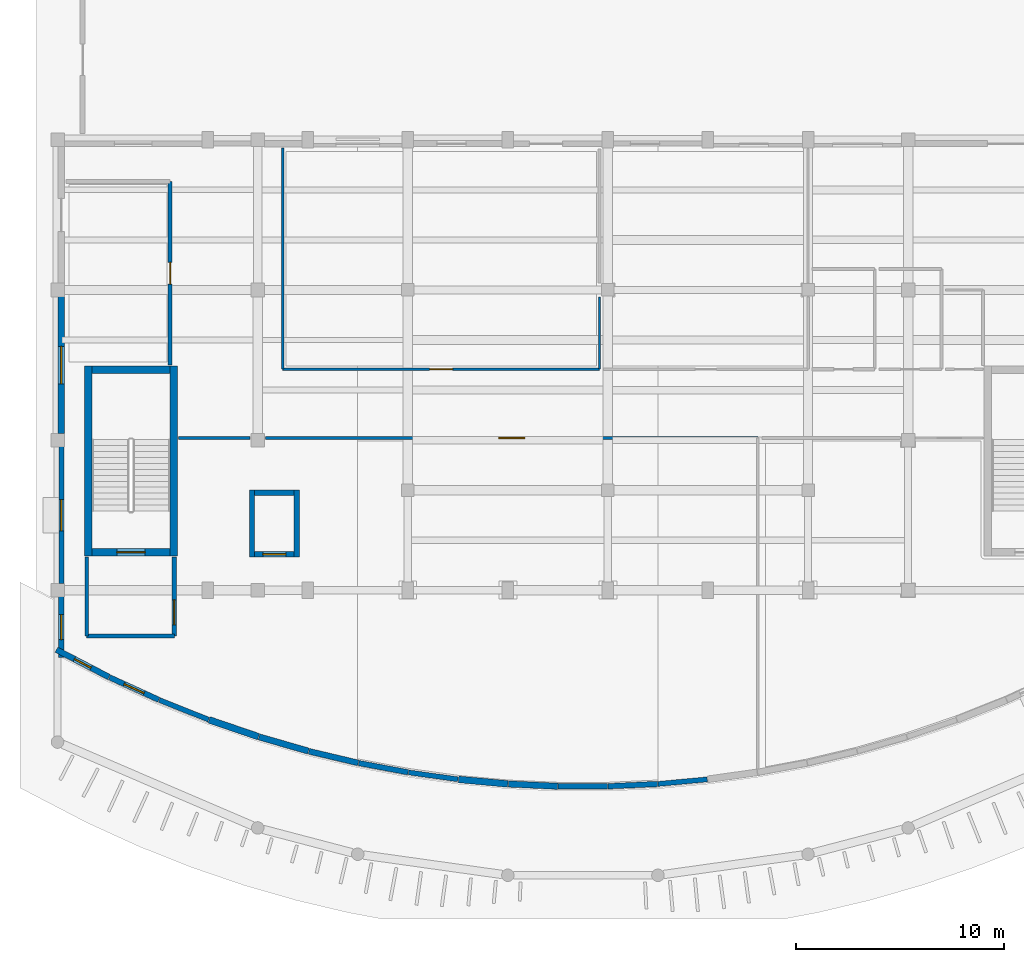
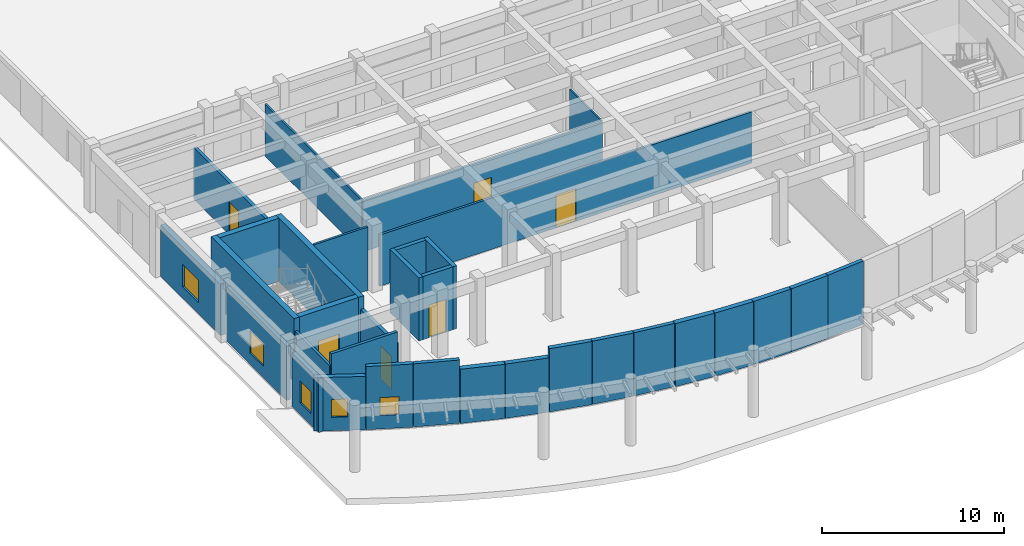
# One storey, part 28 of 58: 33 walls, 6 doors, 5 windows, 11 openings.
"""IFC4 building model written with IfcOpenShell, lengths in metres."""

from ifc_helpers import new_model, si_unit, direction, frame, frame_2d, origin, place, context, subcontext, project, spatial, rectangle, extrude, material, layer, layer_set, type_object, element, fill, save


model = new_model("IFC4")

# Units and contexts
model_context = context("Model", 3, precision=1e-05, world=origin(), true_north=direction((0.0, 1.0)))
body_context = subcontext(model_context, "Body", "Model", "MODEL_VIEW")
ifc_project = project(units=[si_unit("LENGTHUNIT", "METRE"), si_unit("AREAUNIT", "SQUARE_METRE"), si_unit("VOLUMEUNIT", "CUBIC_METRE"), si_unit("PLANEANGLEUNIT", "RADIAN"), si_unit("MASSUNIT", "GRAM", prefix="KILO")], contexts=[model_context])

# Site, building, storey
site_placement = place(None, origin())
site = spatial("IfcSite", under=ifc_project, at=site_placement, CompositionType="ELEMENT")
building_placement = place(site_placement, origin())
building = spatial("IfcBuilding", under=site, at=building_placement, Name="Brisavento Harbour Community Centre", CompositionType="ELEMENT")
storey_placement = place(building_placement, origin())
storey = spatial("IfcBuildingStorey", under=building, at=storey_placement, Name="L00", CompositionType="ELEMENT", Elevation=0.0)

# Walls
ifc_material_1 = material(Name="Concrete C40/50", Category="concrete")
ifc_layer_1 = layer(ifc_material_1, 0.35009765625, Name="Concrete C40/50")
ifc_layer_set_1 = layer_set([ifc_layer_1], Name="Concrete C40/50")
wall_type_1 = type_object("IfcWallType", Name="WL-CORE-350", PredefinedType="SHEAR", material=ifc_layer_set_1)
for number, where, z_axis, x_axis, name in (
    (1, (5.574951171875, 16.050048828125, 0.0), (0.0, 0.0, 1.0), (0.0, 1.0, 0.0), "L00 core C1 shear wall L"),
    (2, (1.47509765625, 25.14990234375, 0.0), (0.0, 0.0, 1.0), (0.0, -1.0, 0.0), "L00 core C1 shear wall R"),
):
    element("IfcWall", number, at=place(storey_placement, frame(where, z_axis=z_axis, x_axis=x_axis)), inside=storey, type_object=wall_type_1, Name=name, PredefinedType="SHEAR", context=body_context, shape_type="SweptSolid", body=[
        extrude(rectangle(XDim=9.099853515625, YDim=0.35009765625, at=frame_2d((4.5498046875, 0.0))), origin(), (0.0, 0.0, 1.0), 4.239990234375),
    ])
wall_1_placement = place(storey_placement, frame((5.39990234375, 24.97509765625, 0.0), z_axis=(0.0, 0.0, 1.0), x_axis=(-1.0, 0.0, 0.0)))
element("IfcWall", 3, at=wall_1_placement, inside=storey, type_object=wall_type_1, Name="L00 core C1 shear wall F", PredefinedType="SHEAR", context=body_context, shape_type="SweptSolid", body=[
    extrude(rectangle(XDim=3.75, YDim=0.35009765625, at=frame_2d((1.875, 0.0))), origin(), (0.0, 0.0, 1.0), 4.239990234375),
])

# Wall, opening, door
wall_2_placement = place(storey_placement, frame((5.39990234375, 16.22509765625, 0.0), z_axis=(0.0, 0.0, 1.0), x_axis=(-1.0, 0.0, 0.0)))
wall_2 = element("IfcWall", 4, at=wall_2_placement, inside=storey, type_object=wall_type_1, Name="L00 core C1 shear wall N", PredefinedType="SHEAR", context=body_context, shape_type="SweptSolid", body=[
    extrude(rectangle(XDim=3.75, YDim=0.35009765625, at=frame_2d((1.875, 0.0))), origin(), (0.0, 0.0, 1.0), 4.239990234375),
])
opening_1_placement = place(wall_2_placement, frame((1.199951171875, 0.0, 0.0)))
opening_1 = element("IfcOpeningElement", 5, at=opening_1_placement, cuts=wall_2, Name="Opening SD-02", PredefinedType="OPENING", context=body_context, shape_type="SweptSolid", body=[
    extrude(rectangle(XDim=1.35009765625, YDim=2.199951171875, at=frame_2d((0.675048828125, 1.10009765625))), frame((0.0, 0.18505859375, 0.0), z_axis=(0.0, -1.0, 0.0), x_axis=(1.0, 0.0, 0.0)), (0.0, 0.0, 1.0), 0.3701171875),
])
ifc_material_2 = material(Name="Fire-rated steel door assembly", Category="steel")
door_type_1 = type_object("IfcDoorType", Name="DR-STAIR-135x220", OperationType="NOTDEFINED", PredefinedType="DOOR", material=ifc_material_2)
door_1_placement = place(opening_1_placement, origin())
door_1 = element("IfcDoor", 6, at=door_1_placement, inside=storey, type_object=door_type_1, Name="L00 exit stair ST-01 fire door", OperationType="SINGLE_SWING_LEFT", OverallHeight=2.199951171875, OverallWidth=1.35009765625, PredefinedType="DOOR", context=body_context, shape_type="SweptSolid", body=[
    extrude(rectangle(XDim=1.35009765625, YDim=2.199951171875, at=frame_2d((0.675048828125, 1.10009765625))), frame((0.0, 0.02490234375, 0.0), z_axis=(0.0, -1.0, 0.0), x_axis=(1.0, 0.0, 0.0)), (0.0, 0.0, 1.0), 0.050048828125),
])
fill(opening_1, door_1)

# Walls
ifc_material_3 = material(Name="Terracotta masonry unit", Category="masonry")
ifc_layer_2 = layer(ifc_material_3, 0.239990234375, Name="Terracotta masonry unit")
ifc_layer_set_2 = layer_set([ifc_layer_2], Name="Terracotta masonry unit")
wall_type_2 = type_object("IfcWallType", Name="WL-EXT-240", PredefinedType="SOLIDWALL", material=ifc_layer_set_2)
wall_3_placement = place(storey_placement, frame((7.249755859375, 8.188720703125, 0.0), z_axis=(0.0, 0.0, 1.0), x_axis=(-0.929274561032, 0.369389753808, 0.0)))
element("IfcWall", 7, at=wall_3_placement, inside=storey, type_object=wall_type_2, Name="L00 V1 exterior wall 0068", PredefinedType="SOLIDWALL", context=body_context, shape_type="SweptSolid", body=[
    extrude(rectangle(XDim=2.546630859375, YDim=0.239990234375, at=frame_2d((1.2734375, 0.0))), origin(), (0.0, 0.0, 1.0), 4.239990234375),
])
wall_4_placement = place(storey_placement, frame((19.20703125, 5.328125, 0.0), z_axis=(0.0, 0.0, 1.0), x_axis=(-0.990366445451, 0.138471310114, 0.0)))
element("IfcWall", 8, at=wall_4_placement, inside=storey, type_object=wall_type_2, Name="L00 V1 exterior wall 0073", PredefinedType="SOLIDWALL", context=body_context, shape_type="SweptSolid", body=[
    extrude(rectangle(XDim=2.38720703125, YDim=0.239990234375, at=frame_2d((1.193603515625, 0.0))), origin(), (0.0, 0.0, 1.0), 4.239990234375),
])
wall_5_placement = place(storey_placement, frame((31.16552734375, 5.32470703125, 0.0), z_axis=(0.0, 0.0, 1.0), x_axis=(-0.995737526905, -0.092232193477, 0.0)))
element("IfcWall", 9, at=wall_5_placement, inside=storey, type_object=wall_type_2, Name="L00 V1 exterior wall 0078", PredefinedType="SOLIDWALL", context=body_context, shape_type="SweptSolid", body=[
    extrude(rectangle(XDim=2.374267578125, YDim=0.239990234375, at=frame_2d((1.18701171875, 0.0))), origin(), (0.0, 0.0, 1.0), 4.239990234375),
])

# Wall, opening, window
wall_6_placement = place(storey_placement, frame((0.179931640625, 14.7099609375, 0.0), z_axis=(0.0, 0.0, 1.0), x_axis=(0.0, 1.0, 0.0)))
wall_6 = element("IfcWall", 10, at=wall_6_placement, inside=storey, type_object=wall_type_2, Name="L00 V1 exterior wall 0098", PredefinedType="SOLIDWALL", context=body_context, shape_type="SweptSolid", body=[
    extrude(rectangle(XDim=6.580078125, YDim=0.239990234375, at=frame_2d((3.2900390625, 0.0))), origin(), (0.0, 0.0, 1.0), 3.639892578125),
])
opening_2_placement = place(wall_6_placement, frame((2.5400390625, 0.0, 0.75)))
opening_2 = element("IfcOpeningElement", 11, at=opening_2_placement, cuts=wall_6, Name="Opening W-15", PredefinedType="OPENING", context=body_context, shape_type="SweptSolid", body=[
    extrude(rectangle(XDim=1.5, YDim=1.5, at=frame_2d((0.75, 0.75))), frame((0.0, 0.1298828125, 0.0), z_axis=(0.0, -1.0, 0.0), x_axis=(1.0, 0.0, 0.0)), (0.0, 0.0, 1.0), 0.260009765625),
])
ifc_material_4 = material(Name="Solar-control laminated low-E glass", Category="glass")
window_type_1 = type_object("IfcWindowType", Name="WIN-CAS-15", PartitioningType="SINGLE_PANEL", PredefinedType="WINDOW", material=ifc_material_4)
window_1_placement = place(opening_2_placement, origin())
window_1 = element("IfcWindow", 12, at=window_1_placement, inside=storey, type_object=window_type_1, Name="L00 V1 impact casement window 0015", OverallHeight=1.5, OverallWidth=1.5, PartitioningType="SINGLE_PANEL", PredefinedType="WINDOW", context=body_context, shape_type="SweptSolid", body=[
    extrude(rectangle(XDim=1.5, YDim=1.5, at=frame_2d((0.75, 0.75))), frame((0.0, 0.030029296875, 0.0), z_axis=(0.0, -1.0, 0.0), x_axis=(1.0, 0.0, 0.0)), (0.0, 0.0, 1.0), 0.06005859375),
])
fill(opening_2, window_1)

ifc_layer_3 = layer(ifc_material_3, 0.260009765625, Name="Terracotta masonry unit")
ifc_layer_set_3 = layer_set([ifc_layer_3], Name="Terracotta masonry unit")
wall_type_3 = type_object("IfcWallType", Name="WL-EXT-260", PredefinedType="SOLIDWALL", material=ifc_layer_set_3)
wall_7_placement = place(storey_placement, frame((4.8583984375, 9.139892578125, 0.0), z_axis=(0.0, 0.0, 1.0), x_axis=(-0.90959706885, 0.415491482873, 0.0)))
wall_7 = element("IfcWall", 13, at=wall_7_placement, inside=storey, type_object=wall_type_3, Name="L00 V1 exterior wall 0067", PredefinedType="SOLIDWALL", context=body_context, shape_type="SweptSolid", body=[
    extrude(rectangle(XDim=2.6025390625, YDim=0.260009765625, at=frame_2d((1.30126953125, 0.0))), origin(), (0.0, 0.0, 1.0), 4.239990234375),
])
opening_3_placement = place(wall_7_placement, frame((0.7763671875, 0.0, 0.89990234375)))
opening_3 = element("IfcOpeningElement", 14, at=opening_3_placement, cuts=wall_7, Name="Opening W-02", PredefinedType="OPENING", context=body_context, shape_type="SweptSolid", body=[
    extrude(rectangle(XDim=1.050048828125, YDim=1.199951171875, at=frame_2d((0.52490234375, 0.60009765625))), frame((0.0, 0.14013671875, 0.0), z_axis=(0.0, -1.0, 0.0), x_axis=(1.0, 0.0, 0.0)), (0.0, 0.0, 1.0), 0.280029296875),
])
window_type_2 = type_object("IfcWindowType", Name="WIN-CAS-02", PartitioningType="SINGLE_PANEL", PredefinedType="WINDOW", material=ifc_material_4)
window_2_placement = place(opening_3_placement, origin())
window_2 = element("IfcWindow", 15, at=window_2_placement, inside=storey, type_object=window_type_2, Name="L00 V1 impact casement window 0002", OverallHeight=1.199951171875, OverallWidth=1.050048828125, PartitioningType="SINGLE_PANEL", PredefinedType="WINDOW", context=body_context, shape_type="SweptSolid", body=[
    extrude(rectangle(XDim=1.050048828125, YDim=1.199951171875, at=frame_2d((0.52490234375, 0.60009765625))), frame((0.0, 0.030029296875, 0.0), z_axis=(0.0, -1.0, 0.0), x_axis=(1.0, 0.0, 0.0)), (0.0, 0.0, 1.0), 0.06005859375),
])
fill(opening_3, window_2)

# Walls
wall_8_placement = place(storey_placement, frame((16.8154296875, 5.6630859375, 0.0), z_axis=(0.0, 0.0, 1.0), x_axis=(-0.982797435053, 0.184686766319, 0.0)))
element("IfcWall", 16, at=wall_8_placement, inside=storey, type_object=wall_type_3, Name="L00 V1 exterior wall 0072", PredefinedType="SOLIDWALL", context=body_context, shape_type="SweptSolid", body=[
    extrude(rectangle(XDim=2.406005859375, YDim=0.260009765625, at=frame_2d((1.203125, 0.0))), origin(), (0.0, 0.0, 1.0), 4.239990234375),
])
wall_9_placement = place(storey_placement, frame((28.773681640625, 5.103759765625, 0.0), z_axis=(0.0, 0.0, 1.0), x_axis=(-0.998931413674, -0.046217212984, 0.0)))
element("IfcWall", 17, at=wall_9_placement, inside=storey, type_object=wall_type_3, Name="L00 V1 exterior wall 0077", PredefinedType="SOLIDWALL", context=body_context, shape_type="SweptSolid", body=[
    extrude(rectangle(XDim=2.366455078125, YDim=0.260009765625, at=frame_2d((1.18310546875, 0.0))), origin(), (0.0, 0.0, 1.0), 4.239990234375),
])

# Wall, opening, window
wall_10_placement = place(storey_placement, frame((0.179931640625, 11.164306640625, 0.0), z_axis=(0.0, 0.0, 1.0), x_axis=(0.0, 1.0, 0.0)))
wall_10 = element("IfcWall", 18, at=wall_10_placement, inside=storey, type_object=wall_type_3, Name="L00 V1 exterior wall 0097", PredefinedType="SOLIDWALL", context=body_context, shape_type="SweptSolid", body=[
    extrude(rectangle(XDim=2.92578125, YDim=0.260009765625, at=frame_2d((1.462890625, 0.0))), origin(), (0.0, 0.0, 1.0), 3.590087890625),
])
opening_4_placement = place(wall_10_placement, frame((0.86279296875, 0.0, 0.75)))
opening_4 = element("IfcOpeningElement", 19, at=opening_4_placement, cuts=wall_10, Name="Opening W-14", PredefinedType="OPENING", context=body_context, shape_type="SweptSolid", body=[
    extrude(rectangle(XDim=1.199951171875, YDim=1.5, at=frame_2d((0.60009765625, 0.75))), frame((0.0, 0.14013671875, 0.0), z_axis=(0.0, -1.0, 0.0), x_axis=(1.0, 0.0, 0.0)), (0.0, 0.0, 1.0), 0.280029296875),
])
window_type_3 = type_object("IfcWindowType", Name="WIN-CAS-14", PartitioningType="SINGLE_PANEL", PredefinedType="WINDOW", material=ifc_material_4)
window_3_placement = place(opening_4_placement, origin())
window_3 = element("IfcWindow", 20, at=window_3_placement, inside=storey, type_object=window_type_3, Name="L00 V1 impact casement window 0014", OverallHeight=1.5, OverallWidth=1.199951171875, PartitioningType="SINGLE_PANEL", PredefinedType="WINDOW", context=body_context, shape_type="SweptSolid", body=[
    extrude(rectangle(XDim=1.199951171875, YDim=1.5, at=frame_2d((0.60009765625, 0.75))), frame((0.0, 0.030029296875, 0.0), z_axis=(0.0, -1.0, 0.0), x_axis=(1.0, 0.0, 0.0)), (0.0, 0.0, 1.0), 0.06005859375),
])
fill(opening_4, window_3)

ifc_material_5 = material(Name="Precast concrete C40/50", Category="concrete")
ifc_layer_4 = layer(ifc_material_5, 0.280029296875, Name="Precast concrete C40/50")
ifc_layer_set_4 = layer_set([ifc_layer_4], Name="Precast concrete C40/50")
wall_type_4 = type_object("IfcWallType", Name="WL-EXT-280", PredefinedType="SOLIDWALL", material=ifc_layer_set_4)
wall_11_placement = place(storey_placement, frame((2.467041015625, 10.23291015625, 0.0), z_axis=(0.0, 0.0, 1.0), x_axis=(-0.88701246436, 0.46174547975, 0.0)))
wall_11 = element("IfcWall", 21, at=wall_11_placement, inside=storey, type_object=wall_type_4, Name="L00 V1 exterior wall 0066", PredefinedType="SOLIDWALL", context=body_context, shape_type="SweptSolid", body=[
    extrude(rectangle(XDim=2.837646484375, YDim=0.280029296875, at=frame_2d((1.4189453125, 0.0))), origin(), (0.0, 0.0, 1.0), 3.590087890625),
])
opening_5_placement = place(wall_11_placement, frame((0.96875, 0.0, 0.89990234375)))
opening_5 = element("IfcOpeningElement", 22, at=opening_5_placement, cuts=wall_11, Name="Opening W-01", PredefinedType="OPENING", context=body_context, shape_type="SweptSolid", body=[
    extrude(rectangle(XDim=0.89990234375, YDim=1.199951171875, at=frame_2d((0.449951171875, 0.60009765625))), frame((0.0, 0.14990234375, 0.0), z_axis=(0.0, -1.0, 0.0), x_axis=(1.0, 0.0, 0.0)), (0.0, 0.0, 1.0), 0.300048828125),
])
window_type_4 = type_object("IfcWindowType", Name="WIN-CAS-01", PartitioningType="SINGLE_PANEL", PredefinedType="WINDOW", material=ifc_material_4)
window_4_placement = place(opening_5_placement, origin())
window_4 = element("IfcWindow", 23, at=window_4_placement, inside=storey, type_object=window_type_4, Name="L00 V1 impact casement window 0001", OverallHeight=1.199951171875, OverallWidth=0.89990234375, PartitioningType="SINGLE_PANEL", PredefinedType="WINDOW", context=body_context, shape_type="SweptSolid", body=[
    extrude(rectangle(XDim=0.89990234375, YDim=1.199951171875, at=frame_2d((0.449951171875, 0.60009765625))), frame((0.0, 0.030029296875, 0.0), z_axis=(0.0, -1.0, 0.0), x_axis=(1.0, 0.0, 0.0)), (0.0, 0.0, 1.0), 0.06005859375),
])
fill(opening_5, window_4)

# Walls
wall_12_placement = place(storey_placement, frame((14.424072265625, 6.11328125, 0.0), z_axis=(0.0, 0.0, 1.0), x_axis=(-0.972996641293, 0.230819271363, 0.0)))
element("IfcWall", 24, at=wall_12_placement, inside=storey, type_object=wall_type_4, Name="L00 V1 exterior wall 0071", PredefinedType="SOLIDWALL", context=body_context, shape_type="SweptSolid", body=[
    extrude(rectangle(XDim=2.4306640625, YDim=0.280029296875, at=frame_2d((1.21533203125, 0.0))), origin(), (0.0, 0.0, 1.0), 4.239990234375),
])
wall_13_placement = place(storey_placement, frame((26.382080078125, 4.993896484375, 0.0), z_axis=(0.0, 0.0, 1.0), x_axis=(-1.0, 0.0, 0.0)))
element("IfcWall", 25, at=wall_13_placement, inside=storey, type_object=wall_type_4, Name="L00 V1 exterior wall 0076", PredefinedType="SOLIDWALL", context=body_context, shape_type="SweptSolid", body=[
    extrude(rectangle(XDim=2.364013671875, YDim=0.280029296875, at=frame_2d((1.18212890625, 0.0))), origin(), (0.0, 0.0, 1.0), 4.239990234375),
])
ifc_material_6 = material(Name="Concrete C35/45", Category="concrete")
ifc_layer_5 = layer(ifc_material_6, 0.300048828125, Name="Concrete C35/45")
ifc_layer_set_5 = layer_set([ifc_layer_5], Name="Concrete C35/45")
wall_type_5 = type_object("IfcWallType", Name="WL-EXT-300", PredefinedType="SOLIDWALL", material=ifc_layer_set_5)
wall_14_placement = place(storey_placement, frame((12.03271484375, 6.681396484375, 0.0), z_axis=(0.0, 0.0, 1.0), x_axis=(-0.960873855282, 0.276986343049, 0.0)))
element("IfcWall", 26, at=wall_14_placement, inside=storey, type_object=wall_type_5, Name="L00 V1 exterior wall 0070", PredefinedType="SOLIDWALL", context=body_context, shape_type="SweptSolid", body=[
    extrude(rectangle(XDim=2.4619140625, YDim=0.300048828125, at=frame_2d((1.23095703125, 0.0))), origin(), (0.0, 0.0, 1.0), 3.639892578125),
])
wall_15_placement = place(storey_placement, frame((23.990234375, 4.994384765625, 0.0), z_axis=(0.0, 0.0, 1.0), x_axis=(-0.998931413674, 0.046217212984, 0.0)))
element("IfcWall", 27, at=wall_15_placement, inside=storey, type_object=wall_type_5, Name="L00 V1 exterior wall 0075", PredefinedType="SOLIDWALL", context=body_context, shape_type="SweptSolid", body=[
    extrude(rectangle(XDim=2.366455078125, YDim=0.300048828125, at=frame_2d((1.18310546875, 0.0))), origin(), (0.0, 0.0, 1.0), 4.239990234375),
])
ifc_layer_6 = layer(ifc_material_6, 0.320068359375, Name="Concrete C35/45")
ifc_layer_set_6 = layer_set([ifc_layer_6], Name="Concrete C35/45")
wall_type_6 = type_object("IfcWallType", Name="WL-EXT-320", PredefinedType="SOLIDWALL", material=ifc_layer_set_6)
wall_16_placement = place(storey_placement, frame((9.64111328125, 7.371337890625, 0.0), z_axis=(0.0, 0.0, 1.0), x_axis=(-0.946353497829, 0.323133187939, 0.0)))
element("IfcWall", 28, at=wall_16_placement, inside=storey, type_object=wall_type_6, Name="L00 V1 exterior wall 0069", PredefinedType="SOLIDWALL", context=body_context, shape_type="SweptSolid", body=[
    extrude(rectangle(XDim=2.5, YDim=0.320068359375, at=frame_2d((1.25, 0.0))), origin(), (0.0, 0.0, 1.0), 3.639892578125),
])
wall_17_placement = place(storey_placement, frame((21.5986328125, 5.105712890625, 0.0), z_axis=(0.0, 0.0, 1.0), x_axis=(-0.995736652078, 0.092241637603, 0.0)))
element("IfcWall", 29, at=wall_17_placement, inside=storey, type_object=wall_type_6, Name="L00 V1 exterior wall 0074", PredefinedType="SOLIDWALL", context=body_context, shape_type="SweptSolid", body=[
    extrude(rectangle(XDim=2.3740234375, YDim=0.320068359375, at=frame_2d((1.18701171875, 0.0))), origin(), (0.0, 0.0, 1.0), 4.239990234375),
])

# Wall, opening, window
wall_18_placement = place(storey_placement, frame((0.179931640625, 21.909912109375, 0.0), z_axis=(0.0, 0.0, 1.0), x_axis=(0.0, 1.0, 0.0)))
wall_18 = element("IfcWall", 30, at=wall_18_placement, inside=storey, type_object=wall_type_6, Name="L00 V1 exterior wall 0099", PredefinedType="SOLIDWALL", context=body_context, shape_type="SweptSolid", body=[
    extrude(rectangle(XDim=6.580078125, YDim=0.320068359375, at=frame_2d((3.2900390625, 0.0))), origin(), (0.0, 0.0, 1.0), 3.43994140625),
])
opening_6_placement = place(wall_18_placement, frame((2.389892578125, 0.0, 0.75)))
opening_6 = element("IfcOpeningElement", 31, at=opening_6_placement, cuts=wall_18, Name="Opening W-16", PredefinedType="OPENING", context=body_context, shape_type="SweptSolid", body=[
    extrude(rectangle(XDim=1.800048828125, YDim=1.5, at=frame_2d((0.89990234375, 0.75))), frame((0.0, 0.169921875, 0.0), z_axis=(0.0, -1.0, 0.0), x_axis=(1.0, 0.0, 0.0)), (0.0, 0.0, 1.0), 0.340087890625),
])
window_type_5 = type_object("IfcWindowType", Name="WIN-CAS-16", PartitioningType="SINGLE_PANEL", PredefinedType="WINDOW", material=ifc_material_4)
window_5_placement = place(opening_6_placement, origin())
window_5 = element("IfcWindow", 32, at=window_5_placement, inside=storey, type_object=window_type_5, Name="L00 V1 impact casement window 0016", OverallHeight=1.5, OverallWidth=1.800048828125, PartitioningType="SINGLE_PANEL", PredefinedType="WINDOW", context=body_context, shape_type="SweptSolid", body=[
    extrude(rectangle(XDim=1.800048828125, YDim=1.5, at=frame_2d((0.89990234375, 0.75))), frame((0.0, 0.030029296875, 0.0), z_axis=(0.0, -1.0, 0.0), x_axis=(1.0, 0.0, 0.0)), (0.0, 0.0, 1.0), 0.06005859375),
])
fill(opening_6, window_5)

# Wall, opening, door
ifc_material_7 = material(Name="Concrete masonry blockwork", Category="masonry")
ifc_layer_7 = layer(ifc_material_7, 0.199951171875, Name="Concrete masonry blockwork")
ifc_layer_set_7 = layer_set([ifc_layer_7], Name="Concrete masonry blockwork")
wall_type_7 = type_object("IfcWallType", Name="WL-FIR-200", PredefinedType="PARTITIONING", material=ifc_layer_set_7)
wall_19_placement = place(storey_placement, frame((5.60009765625, 12.199951171875, 0.0), z_axis=(0.0, 0.0, 1.0), x_axis=(0.0, 1.0, 0.0)))
wall_19 = element("IfcWall", 33, at=wall_19_placement, inside=storey, type_object=wall_type_7, Name="L00 Firefighting Lobby L00 partition 0039", PredefinedType="PARTITIONING", context=body_context, shape_type="SweptSolid", body=[
    extrude(rectangle(XDim=3.7900390625, YDim=0.199951171875, at=frame_2d((1.89501953125, 0.0))), origin(), (0.0, 0.0, 1.0), 3.43994140625),
])
opening_7_placement = place(wall_19_placement, frame((0.537109375, 0.0, 0.0)))
opening_7 = element("IfcOpeningElement", 34, at=opening_7_placement, cuts=wall_19, Name="Opening FD-01", PredefinedType="OPENING", context=body_context, shape_type="SweptSolid", body=[
    extrude(rectangle(XDim=1.199951171875, YDim=2.199951171875, at=frame_2d((0.60009765625, 1.10009765625))), frame((0.0, 0.10986328125, 0.0), z_axis=(0.0, -1.0, 0.0), x_axis=(1.0, 0.0, 0.0)), (0.0, 0.0, 1.0), 0.219970703125),
])
ifc_material_8 = material(Name="Fire-rated hardwood door", Category="wood")
door_type_2 = type_object("IfcDoorType", Name="DR-FIRE-120x220", OperationType="NOTDEFINED", PredefinedType="DOOR", material=ifc_material_8)
door_2_placement = place(opening_7_placement, origin())
door_2 = element("IfcDoor", 35, at=door_2_placement, inside=storey, type_object=door_type_2, Name="L00 Firefighting Lobby L00 door 0015", OperationType="SINGLE_SWING_LEFT", OverallHeight=2.199951171875, OverallWidth=1.199951171875, PredefinedType="DOOR", context=body_context, shape_type="SweptSolid", body=[
    extrude(rectangle(XDim=1.199951171875, YDim=2.199951171875, at=frame_2d((0.60009765625, 1.10009765625))), frame((0.0, 0.02490234375, 0.0), z_axis=(0.0, -1.0, 0.0), x_axis=(1.0, 0.0, 0.0)), (0.0, 0.0, 1.0), 0.050048828125),
])
fill(opening_7, door_2)

wall_20_placement = place(storey_placement, frame((5.39990234375, 25.2099609375, 0.0), z_axis=(0.0, 0.0, 1.0), x_axis=(0.0, 1.0, 0.0)))
wall_20 = element("IfcWall", 36, at=wall_20_placement, inside=storey, type_object=wall_type_7, Name="L00 Fire Command Room partition 0042", PredefinedType="PARTITIONING", context=body_context, shape_type="SweptSolid", body=[
    extrude(rectangle(XDim=8.7900390625, YDim=0.199951171875, at=frame_2d((4.39501953125, 0.0))), origin(), (0.0, 0.0, 1.0), 3.43994140625),
])
opening_8_placement = place(wall_20_placement, frame((3.8701171875, 0.0, 0.0)))
opening_8 = element("IfcOpeningElement", 37, at=opening_8_placement, cuts=wall_20, Name="Opening FD-02", PredefinedType="OPENING", context=body_context, shape_type="SweptSolid", body=[
    extrude(rectangle(XDim=1.050048828125, YDim=2.14990234375, at=frame_2d((0.52490234375, 1.074951171875))), frame((0.0, 0.10986328125, 0.0), z_axis=(0.0, -1.0, 0.0), x_axis=(1.0, 0.0, 0.0)), (0.0, 0.0, 1.0), 0.219970703125),
])
door_type_3 = type_object("IfcDoorType", Name="DR-FIRE-105x215", OperationType="NOTDEFINED", PredefinedType="DOOR", material=ifc_material_8)
door_3_placement = place(opening_8_placement, origin())
door_3 = element("IfcDoor", 38, at=door_3_placement, inside=storey, type_object=door_type_3, Name="L00 Fire Command Room door 0016", OperationType="SINGLE_SWING_LEFT", OverallHeight=2.14990234375, OverallWidth=1.050048828125, PredefinedType="DOOR", context=body_context, shape_type="SweptSolid", body=[
    extrude(rectangle(XDim=1.050048828125, YDim=2.14990234375, at=frame_2d((0.52490234375, 1.074951171875))), frame((0.0, 0.02490234375, 0.0), z_axis=(0.0, -1.0, 0.0), x_axis=(1.0, 0.0, 0.0)), (0.0, 0.0, 1.0), 0.050048828125),
])
fill(opening_8, door_3)

# Walls
ifc_material_9 = material(Name="Lightweight stud partition", Category="other")
ifc_layer_8 = layer(ifc_material_9, 0.10009765625, Name="Lightweight stud partition")
ifc_layer_set_8 = layer_set([ifc_layer_8], Name="Lightweight stud partition")
wall_type_8 = type_object("IfcWallType", Name="WL-PRT-100", PredefinedType="PARTITIONING", material=ifc_layer_set_8)
wall_21_placement = place(storey_placement, frame((26.0, 25.0, 0.0), z_axis=(0.0, 0.0, 1.0), x_axis=(0.0, 1.0, 0.0)))
element("IfcWall", 39, at=wall_21_placement, inside=storey, type_object=wall_type_8, Name="L00 Centre Administration Workroom partition 0051", PredefinedType="PARTITIONING", context=body_context, shape_type="SweptSolid", body=[
    extrude(rectangle(XDim=3.4599609375, YDim=0.10009765625, at=frame_2d((1.72998046875, 0.0))), origin(), (0.0, 0.0, 1.0), 3.47998046875),
])
ifc_material_10 = material(Name="Gypsum metal-stud partition", Category="other")
ifc_layer_9 = layer(ifc_material_10, 0.1201171875, Name="Gypsum metal-stud partition")
ifc_layer_set_9 = layer_set([ifc_layer_9], Name="Gypsum metal-stud partition")
wall_type_9 = type_object("IfcWallType", Name="WL-PRT-120", PredefinedType="PARTITIONING", material=ifc_layer_set_9)
wall_22_placement = place(storey_placement, frame((10.800048828125, 35.60009765625, 0.0), z_axis=(0.0, 0.0, 1.0), x_axis=(0.0, -1.0, 0.0)))
element("IfcWall", 40, at=wall_22_placement, inside=storey, type_object=wall_type_9, Name="L00 Centre Administration Workroom partition 0050", PredefinedType="PARTITIONING", context=body_context, shape_type="SweptSolid", body=[
    extrude(rectangle(XDim=10.60009765625, YDim=0.1201171875, at=frame_2d((5.300048828125, 0.0))), origin(), (0.0, 0.0, 1.0), 3.489990234375),
])
ifc_layer_10 = layer(ifc_material_10, 0.139892578125, Name="Gypsum metal-stud partition")
ifc_layer_set_10 = layer_set([ifc_layer_10], Name="Gypsum metal-stud partition")
wall_type_10 = type_object("IfcWallType", Name="WL-PRT-140", PredefinedType="PARTITIONING", material=ifc_layer_set_10)
wall_23_placement = place(storey_placement, frame((9.235107421875, 21.699951171875, 0.0), z_axis=(0.0, 0.0, 1.0), x_axis=(-1.0, 0.0, 0.0)))
element("IfcWall", 41, at=wall_23_placement, inside=storey, type_object=wall_type_10, Name="L00 Harbour Exhibition Foyer partition 0045", PredefinedType="PARTITIONING", context=body_context, shape_type="SweptSolid", body=[
    extrude(rectangle(XDim=3.425048828125, YDim=0.139892578125, at=frame_2d((1.71240234375, 0.0))), origin(), (0.0, 0.0, 1.0), 4.239990234375),
])

# Wall, opening, door
wall_24_placement = place(storey_placement, frame((10.800048828125, 25.0, 0.0), z_axis=(0.0, 0.0, 1.0), x_axis=(1.0, 0.0, 0.0)))
wall_24 = element("IfcWall", 42, at=wall_24_placement, inside=storey, type_object=wall_type_10, Name="L00 Centre Administration Workroom partition 0049", PredefinedType="PARTITIONING", context=body_context, shape_type="SweptSolid", body=[
    extrude(rectangle(XDim=15.199951171875, YDim=0.139892578125, at=frame_2d((7.60009765625, 0.0))), origin(), (0.0, 0.0, 1.0), 3.43994140625),
])
opening_9_placement = place(wall_24_placement, frame((7.050048828125, 0.0, 0.0)))
opening_9 = element("IfcOpeningElement", 43, at=opening_9_placement, cuts=wall_24, Name="Opening ID-08", PredefinedType="OPENING", context=body_context, shape_type="SweptSolid", body=[
    extrude(rectangle(XDim=1.10009765625, YDim=2.14990234375, at=frame_2d((0.550048828125, 1.074951171875))), frame((0.0, 0.080078125, 0.0), z_axis=(0.0, -1.0, 0.0), x_axis=(1.0, 0.0, 0.0)), (0.0, 0.0, 1.0), 0.159912109375),
])
ifc_material_11 = material(Name="Solid-core tropical timber door", Category="wood")
door_type_4 = type_object("IfcDoorType", Name="DR-INT-110x215", OperationType="NOTDEFINED", PredefinedType="DOOR", material=ifc_material_11)
door_4_placement = place(opening_9_placement, origin())
door_4 = element("IfcDoor", 44, at=door_4_placement, inside=storey, type_object=door_type_4, Name="L00 Centre Administration Workroom door 0019", OperationType="SINGLE_SWING_RIGHT", OverallHeight=2.14990234375, OverallWidth=1.10009765625, PredefinedType="DOOR", context=body_context, shape_type="SweptSolid", body=[
    extrude(rectangle(XDim=1.10009765625, YDim=2.14990234375, at=frame_2d((0.550048828125, 1.074951171875))), frame((0.0, 0.02490234375, 0.0), z_axis=(0.0, -1.0, 0.0), x_axis=(1.0, 0.0, 0.0)), (0.0, 0.0, 1.0), 0.050048828125),
])
fill(opening_9, door_4)

ifc_material_12 = material(Name="Moisture-resistant stud partition", Category="other")
ifc_layer_11 = layer(ifc_material_12, 0.14990234375, Name="Moisture-resistant stud partition")
ifc_layer_set_11 = layer_set([ifc_layer_11], Name="Moisture-resistant stud partition")
wall_type_11 = type_object("IfcWallType", Name="WL-PRT-150", PredefinedType="PARTITIONING", material=ifc_layer_set_11)
wall_25_placement = place(storey_placement, frame((33.60009765625, 21.699951171875, 0.0), z_axis=(0.0, 0.0, 1.0), x_axis=(-1.0, 0.0, 0.0)))
wall_25 = element("IfcWall", 45, at=wall_25_placement, inside=storey, type_object=wall_type_11, Name="L00 Harbour Exhibition Foyer partition 0044", PredefinedType="PARTITIONING", context=body_context, shape_type="SweptSolid", body=[
    extrude(rectangle(XDim=23.635009765625, YDim=0.14990234375, at=frame_2d((11.8173828125, 0.0))), origin(), (0.0, 0.0, 1.0), 3.43994140625),
])
opening_10_placement = place(wall_25_placement, frame((11.1923828125, 0.0, 0.0)))
opening_10 = element("IfcOpeningElement", 46, at=opening_10_placement, cuts=wall_25, Name="Opening ID-06", PredefinedType="OPENING", context=body_context, shape_type="SweptSolid", body=[
    extrude(rectangle(XDim=1.25, YDim=2.199951171875, at=frame_2d((0.625, 1.10009765625))), frame((0.0, 0.0849609375, 0.0), z_axis=(0.0, -1.0, 0.0), x_axis=(1.0, 0.0, 0.0)), (0.0, 0.0, 1.0), 0.169921875),
])
door_type_5 = type_object("IfcDoorType", Name="DR-INT-125x220", OperationType="NOTDEFINED", PredefinedType="DOOR", material=ifc_material_11)
door_5_placement = place(opening_10_placement, origin())
door_5 = element("IfcDoor", 47, at=door_5_placement, inside=storey, type_object=door_type_5, Name="L00 Harbour Exhibition Foyer door 0017", OperationType="SINGLE_SWING_RIGHT", OverallHeight=2.199951171875, OverallWidth=1.25, PredefinedType="DOOR", context=body_context, shape_type="SweptSolid", body=[
    extrude(rectangle(XDim=1.25, YDim=2.199951171875, at=frame_2d((0.625, 1.10009765625))), frame((0.0, 0.02490234375, 0.0), z_axis=(0.0, -1.0, 0.0), x_axis=(1.0, 0.0, 0.0)), (0.0, 0.0, 1.0), 0.050048828125),
])
fill(opening_10, door_5)

# Walls
ifc_material_13 = material(Name="Acoustic gypsum stud partition", Category="other")
ifc_layer_12 = layer(ifc_material_13, 0.159912109375, Name="Acoustic gypsum stud partition")
ifc_layer_set_12 = layer_set([ifc_layer_12], Name="Acoustic gypsum stud partition")
wall_type_12 = type_object("IfcWallType", Name="WL-PRT-160", PredefinedType="PARTITIONING", material=ifc_layer_set_12)
wall_26_placement = place(storey_placement, frame((1.39990234375, 15.989990234375, 0.0), z_axis=(0.0, 0.0, 1.0), x_axis=(0.0, -1.0, 0.0)))
element("IfcWall", 48, at=wall_26_placement, inside=storey, type_object=wall_type_12, Name="L00 Firefighting Lobby L00 partition 0041", PredefinedType="PARTITIONING", context=body_context, shape_type="SweptSolid", body=[
    extrude(rectangle(XDim=3.7900390625, YDim=0.159912109375, at=frame_2d((1.89501953125, 0.0))), origin(), (0.0, 0.0, 1.0), 3.43994140625),
])
ifc_layer_13 = layer(ifc_material_13, 0.179931640625, Name="Acoustic gypsum stud partition")
ifc_layer_set_13 = layer_set([ifc_layer_13], Name="Acoustic gypsum stud partition")
wall_type_13 = type_object("IfcWallType", Name="WL-PRT-180", PredefinedType="PARTITIONING", material=ifc_layer_set_13)
wall_27_placement = place(storey_placement, frame((1.39990234375, 12.199951171875, 0.0), z_axis=(0.0, 0.0, 1.0), x_axis=(1.0, 0.0, 0.0)))
element("IfcWall", 49, at=wall_27_placement, inside=storey, type_object=wall_type_13, Name="L00 Firefighting Lobby L00 partition 0040", PredefinedType="PARTITIONING", context=body_context, shape_type="SweptSolid", body=[
    extrude(rectangle(XDim=4.2001953125, YDim=0.179931640625, at=frame_2d((2.10009765625, 0.0))), origin(), (0.0, 0.0, 1.0), 4.239990234375),
])
ifc_layer_14 = layer(ifc_material_6, 0.25, Name="Concrete C35/45")
ifc_layer_set_14 = layer_set([ifc_layer_14], Name="Concrete C35/45")
wall_type_14 = type_object("IfcWallType", Name="WL-SHF-250", PredefinedType="SOLIDWALL", material=ifc_layer_set_14)
for number, where, z_axis, x_axis, name in (
    (50, (9.324951171875, 16.0, 0.0), (0.0, 0.0, 1.0), (0.0, 1.0, 0.0), "L00 lift LC-01 shaft wall W"),
    (51, (11.47509765625, 19.199951171875, 0.0), (0.0, 0.0, 1.0), (0.0, -1.0, 0.0), "L00 lift LC-01 shaft wall E"),
):
    element("IfcWall", number, at=place(storey_placement, frame(where, z_axis=z_axis, x_axis=x_axis)), inside=storey, type_object=wall_type_14, Name=name, PredefinedType="SOLIDWALL", context=body_context, shape_type="SweptSolid", body=[
        extrude(rectangle(XDim=3.199951171875, YDim=0.25, at=frame_2d((1.60009765625, 0.0))), origin(), (0.0, 0.0, 1.0), 4.239990234375),
    ])

# Wall, opening, door
wall_28_placement = place(storey_placement, frame((9.449951171875, 16.125, 0.0), z_axis=(0.0, 0.0, 1.0), x_axis=(1.0, 0.0, 0.0)))
wall_28 = element("IfcWall", 52, at=wall_28_placement, inside=storey, type_object=wall_type_14, Name="L00 lift LC-01 shaft wall S", PredefinedType="SOLIDWALL", context=body_context, shape_type="SweptSolid", body=[
    extrude(rectangle(XDim=1.900146484375, YDim=0.25, at=frame_2d((0.9501953125, 0.0))), origin(), (0.0, 0.0, 1.0), 4.239990234375),
])
opening_11_placement = place(wall_28_placement, frame((0.39990234375, 0.0, 0.0)))
opening_11 = element("IfcOpeningElement", 53, at=opening_11_placement, cuts=wall_28, Name="Opening LD-01", PredefinedType="OPENING", context=body_context, shape_type="SweptSolid", body=[
    extrude(rectangle(XDim=1.10009765625, YDim=2.199951171875, at=frame_2d((0.550048828125, 1.10009765625))), frame((0.0, 0.135009765625, 0.0), z_axis=(0.0, -1.0, 0.0), x_axis=(1.0, 0.0, 0.0)), (0.0, 0.0, 1.0), 0.27001953125),
])
ifc_material_14 = material(Name="Stainless steel 1.4401", Category="steel")
door_type_6 = type_object("IfcDoorType", Name="DR-LIFT-110x220", OperationType="DOUBLE_DOOR_SLIDING", PredefinedType="DOOR", material=ifc_material_14)
door_6_placement = place(opening_11_placement, origin())
door_6 = element("IfcDoor", 54, at=door_6_placement, inside=storey, type_object=door_type_6, Name="L00 lift LC-01 landing sliding door", OperationType="DOUBLE_DOOR_SLIDING", OverallHeight=2.199951171875, OverallWidth=1.10009765625, PredefinedType="DOOR", context=body_context, shape_type="SweptSolid", body=[
    extrude(rectangle(XDim=1.10009765625, YDim=2.199951171875, at=frame_2d((0.550048828125, 1.10009765625))), frame((0.0, 0.02490234375, 0.0), z_axis=(0.0, -1.0, 0.0), x_axis=(1.0, 0.0, 0.0)), (0.0, 0.0, 1.0), 0.050048828125),
])
fill(opening_11, door_6)

# Wall
wall_29_placement = place(storey_placement, frame((11.35009765625, 19.074951171875, 0.0), z_axis=(0.0, 0.0, 1.0), x_axis=(-1.0, 0.0, 0.0)))
element("IfcWall", 55, at=wall_29_placement, inside=storey, type_object=wall_type_14, Name="L00 lift LC-01 shaft wall N", PredefinedType="SOLIDWALL", context=body_context, shape_type="SweptSolid", body=[
    extrude(rectangle(XDim=1.900146484375, YDim=0.25, at=frame_2d((0.9501953125, 0.0))), origin(), (0.0, 0.0, 1.0), 4.239990234375),
])

save(model, "model.ifc")
